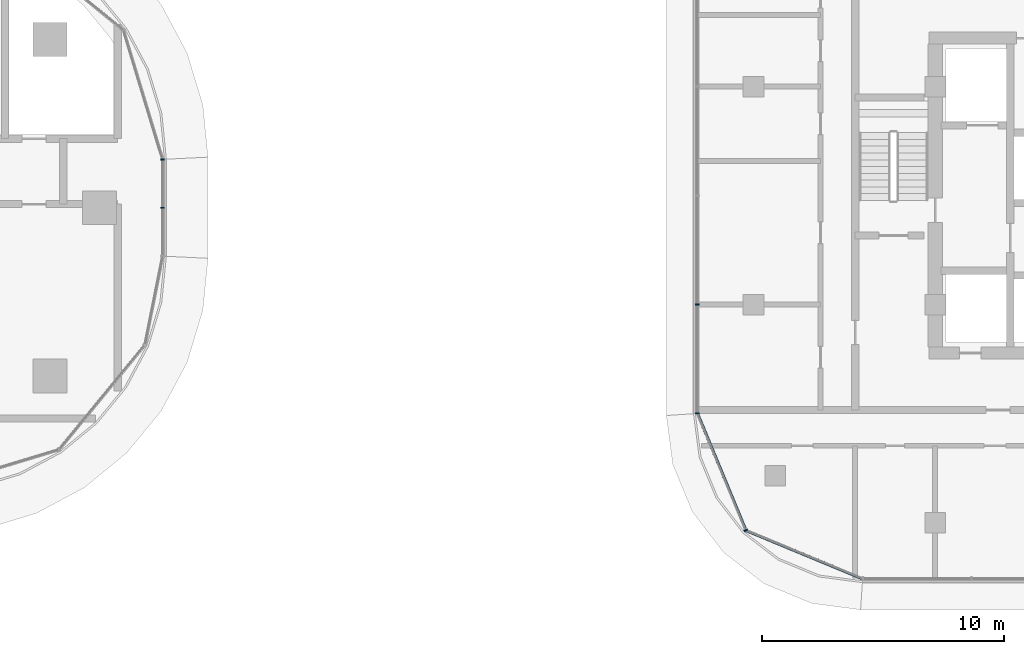
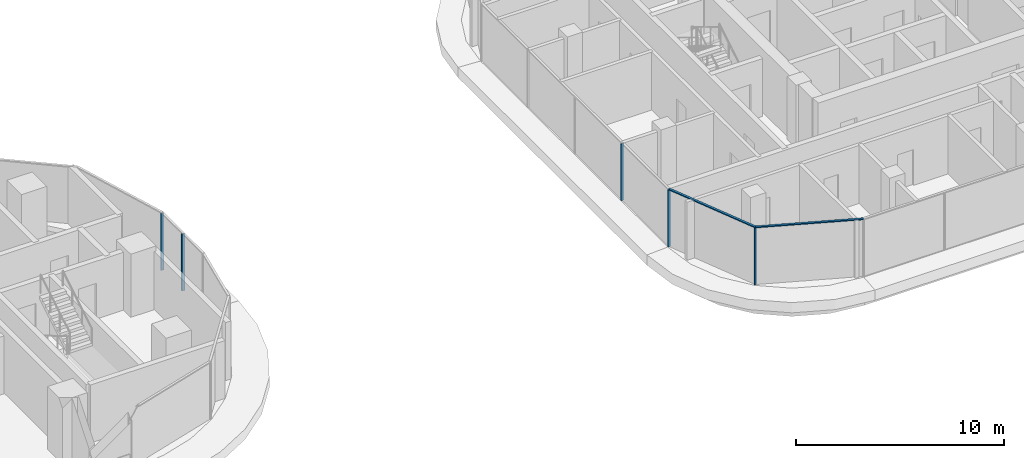
# One storey, part 9 of 36: 7 members, 3 elements without a shape of their own.
"""IFC4 building model written with IfcOpenShell, lengths in metres."""

from ifc_helpers import new_model, si_unit, direction, frame, origin, origin_2d, place, context, subcontext, project, spatial, rectangle, extrude, material, material_profile, profile_set, type_object, element, aggregate, save


model = new_model("IFC4")

# Units and contexts
model_context = context("Model", 3, precision=1e-05, world=origin(), true_north=direction((0.0, 1.0)))
body_context = subcontext(model_context, "Body", "Model", "MODEL_VIEW")
ifc_project = project(units=[si_unit("LENGTHUNIT", "METRE"), si_unit("AREAUNIT", "SQUARE_METRE"), si_unit("VOLUMEUNIT", "CUBIC_METRE"), si_unit("PLANEANGLEUNIT", "RADIAN"), si_unit("MASSUNIT", "GRAM", prefix="KILO")], contexts=[model_context])

# Site, building, storey
site_placement = place(None, origin())
site = spatial("IfcSite", under=ifc_project, at=site_placement, CompositionType="ELEMENT")
building_placement = place(site_placement, origin())
building = spatial("IfcBuilding", under=site, at=building_placement, Name="Ogive Portal Towers", CompositionType="ELEMENT")
storey_placement = place(building_placement, frame((0.0, 0.0, 63.10009765625)))
storey = spatial("IfcBuildingStorey", under=building, at=storey_placement, Name="L14", CompositionType="ELEMENT", Elevation=63.10009765625)

# Curtain wall, members
ifc_material_1 = material(Name="Glass, clear low-iron insulated glazing", Category="glass")
curtain_wall_type_1 = type_object("IfcCurtainWallType", Name="CW FRONT RIBBON 4500", PredefinedType="NOTDEFINED", material=ifc_material_1)
curtain_wall_1_placement = place(storey_placement, origin())
curtain_wall_1 = element("IfcCurtainWall", 1, at=curtain_wall_1_placement, inside=storey, type_object=curtain_wall_type_1, Name="A:L14:f12:cw0", PredefinedType="NOTDEFINED")
ifc_material_2 = material(Name="Aluminium 6063 anodised", Category="aluminium")
ifc_material_profile_1 = material_profile(ifc_material_2, rectangle(XDim=0.159912109375, YDim=0.06005859375, at=origin_2d()), Name="AL 60x160")
ifc_profile_set_1 = profile_set([ifc_material_profile_1], Name="Aluminium 6063 anodised")
member_type_1 = type_object("IfcMemberType", Name="CW MULLION 60x160", PredefinedType="MULLION", material=ifc_profile_set_1)
member_1_placement = place(storey_placement, frame((97.10009765625, 30.5, 0.0), z_axis=(0.0, 0.0, 1.0), x_axis=(-1.0, 0.0, 0.0)))
member_1 = element("IfcMember", 2, at=member_1_placement, type_object=member_type_1, Name="mullion", PredefinedType="MULLION", context=body_context, shape_type="SweptSolid", body=[
    extrude(rectangle(XDim=0.159912109375, YDim=0.06005859375, at=origin_2d()), origin(), (0.0, 0.0, 1.0), 3.33984375),
])
member_2_placement = place(storey_placement, frame((97.10009765625, 32.488037109375, 0.0), z_axis=(0.0, 0.0, 1.0), x_axis=(-1.0, 0.0, 0.0)))
member_2 = element("IfcMember", 3, at=member_2_placement, type_object=member_type_1, Name="mullion", PredefinedType="MULLION", context=body_context, shape_type="SweptSolid", body=[
    extrude(rectangle(XDim=0.159912109375, YDim=0.06005859375, at=origin_2d()), origin(), (0.0, 0.0, 1.0), 3.33984375),
])
aggregate(curtain_wall_1, [member_1, member_2])

curtain_wall_type_2 = type_object("IfcCurtainWallType", Name="CW RESIDENCES RIBBON", PredefinedType="NOTDEFINED", material=ifc_material_1)
curtain_wall_2_placement = place(storey_placement, origin())
curtain_wall_2 = element("IfcCurtainWall", 4, at=curtain_wall_2_placement, inside=storey, type_object=curtain_wall_type_2, Name="B:L14:f11:cw0", PredefinedType="NOTDEFINED")
member_3_placement = place(storey_placement, frame((119.179931640625, 26.5, 0.0), z_axis=(0.0, 0.0, 1.0), x_axis=(1.0, 0.0, 0.0)))
member_3 = element("IfcMember", 5, at=member_3_placement, type_object=member_type_1, Name="mullion", PredefinedType="MULLION", context=body_context, shape_type="SweptSolid", body=[
    extrude(rectangle(XDim=0.159912109375, YDim=0.06005859375, at=origin_2d()), origin(), (0.0, 0.0, 1.0), 3.33984375),
])
member_4_placement = place(storey_placement, frame((119.179931640625, 22.015869140625, 0.0), z_axis=(0.0, 0.0, 1.0), x_axis=(1.0, 0.0, 0.0)))
member_4 = element("IfcMember", 6, at=member_4_placement, type_object=member_type_1, Name="mullion", PredefinedType="MULLION", context=body_context, shape_type="SweptSolid", body=[
    extrude(rectangle(XDim=0.159912109375, YDim=0.06005859375, at=origin_2d()), origin(), (0.0, 0.0, 1.0), 3.33984375),
])
aggregate(curtain_wall_2, [member_3, member_4])

curtain_wall_3_placement = place(storey_placement, origin())
curtain_wall_3 = element("IfcCurtainWall", 7, at=curtain_wall_3_placement, inside=storey, type_object=curtain_wall_type_2, Name="B:L14:f00:cwa", PredefinedType="NOTDEFINED")
member_5_placement = place(storey_placement, frame((121.18212890625, 17.18212890625, 0.0), z_axis=(0.0, 0.0, 1.0), x_axis=(0.923879532511, 0.382683432365, 0.0)))
member_5 = element("IfcMember", 8, at=member_5_placement, type_object=member_type_1, Name="mullion", PredefinedType="MULLION", context=body_context, shape_type="SweptSolid", body=[
    extrude(rectangle(XDim=0.159912109375, YDim=0.06005859375, at=origin_2d()), origin(), (0.0, 0.0, 1.0), 3.33984375),
])
ifc_material_profile_2 = material_profile(ifc_material_2, rectangle(XDim=0.1201171875, YDim=0.06005859375, at=origin_2d()), Name="AL 120x60")
ifc_profile_set_2 = profile_set([ifc_material_profile_2], Name="Aluminium 6063 anodised")
member_type_2 = type_object("IfcMemberType", Name="CW TRANSOM 60x120", PredefinedType="USERDEFINED", material=ifc_profile_set_2)
member_6_placement = place(storey_placement, frame((119.179931640625, 22.015869140625, 3.369873046875), z_axis=(0.382682861952, -0.923879768784, 0.0), x_axis=(0.923879768784, 0.382682861952, 0.0)))
member_6 = element("IfcMember", 9, at=member_6_placement, type_object=member_type_2, Name="transom", ObjectType="TRANSOM", PredefinedType="USERDEFINED", context=body_context, shape_type="SweptSolid", body=[
    extrude(rectangle(XDim=0.1201171875, YDim=0.06005859375, at=origin_2d()), origin(), (0.0, 0.0, 1.0), 5.23193359375),
])
member_7_placement = place(storey_placement, frame((121.18212890625, 17.18212890625, 3.369873046875), z_axis=(0.923879768784, -0.382682861952, 0.0), x_axis=(0.382682861952, 0.923879768784, 0.0)))
member_7 = element("IfcMember", 10, at=member_7_placement, type_object=member_type_2, Name="transom", ObjectType="TRANSOM", PredefinedType="USERDEFINED", context=body_context, shape_type="SweptSolid", body=[
    extrude(rectangle(XDim=0.1201171875, YDim=0.06005859375, at=origin_2d()), origin(), (0.0, 0.0, 1.0), 5.23193359375),
])
aggregate(curtain_wall_3, [member_6, member_7, member_5])

save(model, "model.ifc")
